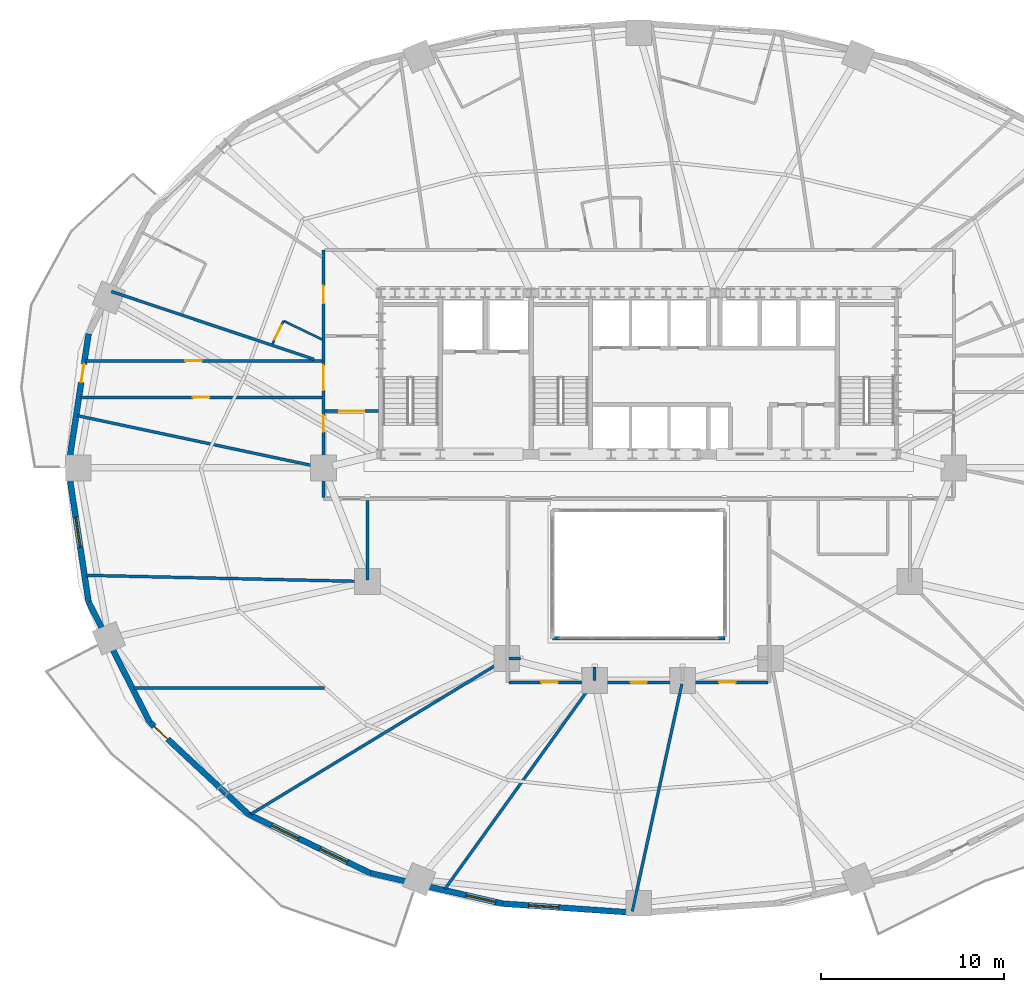
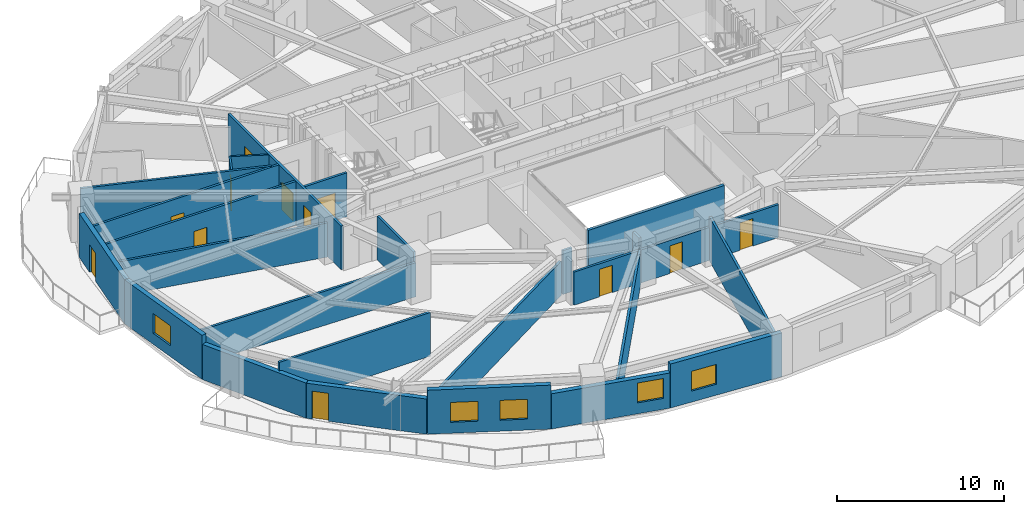
# One storey, part 9 of 17: 25 walls, 12 doors, 5 windows, 17 openings.
"""IFC4 building model written with IfcOpenShell, lengths in metres."""

from ifc_helpers import new_model, si_unit, direction, frame, frame_2d, origin, place, context, subcontext, project, spatial, rectangle, extrude, material, layer, layer_set, type_object, element, fill, save


model = new_model("IFC4")

# Units and contexts
model_context = context("Model", 3, precision=1e-05, world=origin(), true_north=direction((0.0, 1.0)))
body_context = subcontext(model_context, "Body", "Model", "MODEL_VIEW")
ifc_project = project(units=[si_unit("LENGTHUNIT", "METRE"), si_unit("AREAUNIT", "SQUARE_METRE"), si_unit("VOLUMEUNIT", "CUBIC_METRE"), si_unit("PLANEANGLEUNIT", "RADIAN"), si_unit("MASSUNIT", "GRAM", prefix="KILO")], contexts=[model_context])

# Site, building, storey
site_placement = place(None, origin())
site = spatial("IfcSite", under=ifc_project, at=site_placement, CompositionType="ELEMENT")
building_placement = place(site_placement, origin())
building = spatial("IfcBuilding", under=site, at=building_placement, Name="Haldorwick Loom Tower", CompositionType="ELEMENT")
storey_placement = place(building_placement, frame((0.0, 0.0, 27.449951171875)))
storey = spatial("IfcBuildingStorey", under=building, at=storey_placement, Name="L06", CompositionType="ELEMENT", Elevation=27.449951171875)

# Wall, opening, door
ifc_material_1 = material(Name="Pressed Clay Face Brick and Insulated Masonry Backup Assembly", Category="masonry")
ifc_layer_1 = layer(ifc_material_1, 0.320068359375, Name="Pressed Clay Face Brick and Insulated Masonry Backup Assembly", Category="masonry")
ifc_layer_set_1 = layer_set([ifc_layer_1], Name="Pressed Clay Face Brick and Insulated Masonry Backup Assembly")
wall_type_1 = type_object("IfcWallType", Name="ARC-WL-EXT320", PredefinedType="STANDARD", material=ifc_layer_set_1)
wall_1_placement = place(storey_placement, frame((5.978271484375, 33.320556640625, 0.0), z_axis=(0.0, 0.0, 1.0), x_axis=(-0.150476322528, -0.988613613278, 0.0)))
wall_1 = element("IfcWall", 1, at=wall_1_placement, inside=storey, type_object=wall_type_1, Name="L06 Brick Pier and Spandrel Wall 12", PredefinedType="STANDARD", context=body_context, shape_type="SweptSolid", body=[
    extrude(rectangle(XDim=7.40478515625, YDim=0.320068359375, at=frame_2d((3.702392578125, 0.0))), origin(), (0.0, 0.0, 1.0), 3.2099609375),
])
opening_1_placement = place(wall_1_placement, frame((1.665771484375, 0.0, 0.0)))
opening_1 = element("IfcOpeningElement", 2, at=opening_1_placement, cuts=wall_1, Name="Opening D-BL10", PredefinedType="OPENING", context=body_context, shape_type="SweptSolid", body=[
    extrude(rectangle(XDim=1.0, YDim=2.0400390625, at=frame_2d((0.5, 1.02001953125))), frame((0.0, 0.169921875, 0.0), z_axis=(0.0, -1.0, 0.0), x_axis=(1.0, 0.0, 0.0)), (0.0, 0.0, 1.0), 0.340087890625),
])
ifc_material_2 = material(Name="Thermally Broken Anodized Aluminium Curtain Wall Framing", Category="aluminium")
door_type_1 = type_object("IfcDoorType", Name="ARC-DR-BAL100", OperationType="NOTDEFINED", PredefinedType="DOOR", material=ifc_material_2)
door_1_placement = place(opening_1_placement, origin())
door_1 = element("IfcDoor", 3, at=door_1_placement, inside=storey, type_object=door_type_1, Name="L06 Outdoor Terrace Door SLB-L06-BAL_WNW", OperationType="SINGLE_SWING_RIGHT", OverallHeight=2.0400390625, OverallWidth=1.0, PredefinedType="DOOR", context=body_context, shape_type="SweptSolid", body=[
    extrude(rectangle(XDim=1.0, YDim=2.0400390625, at=frame_2d((0.5, 1.02001953125))), frame((0.0, 0.02490234375, 0.0), z_axis=(0.0, -1.0, 0.0), x_axis=(1.0, 0.0, 0.0)), (0.0, 0.0, 1.0), 0.050048828125),
])
fill(opening_1, door_1)

# Wall, opening, window
wall_2_placement = place(storey_placement, frame((4.864013671875, 26.0, 0.0), z_axis=(0.0, 0.0, 1.0), x_axis=(0.150476322528, -0.988613613278, 0.0)))
wall_2 = element("IfcWall", 4, at=wall_2_placement, inside=storey, type_object=wall_type_1, Name="L06 Brick Pier and Spandrel Wall 13", PredefinedType="STANDARD", context=body_context, shape_type="SweptSolid", body=[
    extrude(rectangle(XDim=7.40478515625, YDim=0.320068359375, at=frame_2d((3.702392578125, 0.0))), origin(), (0.0, 0.0, 1.0), 3.2099609375),
])
opening_2_placement = place(wall_2_placement, frame((2.728271484375, 0.0, 0.800048828125)))
opening_2 = element("IfcOpeningElement", 5, at=opening_2_placement, cuts=wall_2, Name="Opening W-01B", PredefinedType="OPENING", context=body_context, shape_type="SweptSolid", body=[
    extrude(rectangle(XDim=1.64990234375, YDim=1.449951171875, at=frame_2d((0.824951171875, 0.72509765625))), frame((0.0, 0.169921875, 0.0), z_axis=(0.0, -1.0, 0.0), x_axis=(1.0, 0.0, 0.0)), (0.0, 0.0, 1.0), 0.340087890625),
])
ifc_material_3 = material(Name="Triple-Glazed Low-E Argon Insulated Glazing Unit", Category="glass")
window_type = type_object("IfcWindowType", Name="ARC-WIN-W165", PartitioningType="SINGLE_PANEL", PredefinedType="WINDOW", material=ifc_material_3)
window_1_placement = place(opening_2_placement, origin())
window_1 = element("IfcWindow", 6, at=window_1_placement, inside=storey, type_object=window_type, Name="L06 Deep-Set Zone 7A Window 13", OverallHeight=1.449951171875, OverallWidth=1.64990234375, PartitioningType="SINGLE_PANEL", PredefinedType="WINDOW", context=body_context, shape_type="SweptSolid", body=[
    extrude(rectangle(XDim=1.64990234375, YDim=1.449951171875, at=frame_2d((0.824951171875, 0.72509765625))), frame((0.0, 0.030029296875, 0.0), z_axis=(0.0, -1.0, 0.0), x_axis=(1.0, 0.0, 0.0)), (0.0, 0.0, 1.0), 0.06005859375),
])
fill(opening_2, window_1)

# Wall
wall_3_placement = place(storey_placement, frame((5.978271484375, 18.679443359375, 0.0), z_axis=(0.0, 0.0, 1.0), x_axis=(0.452950855928, -0.891535485617, 0.0)))
element("IfcWall", 7, at=wall_3_placement, inside=storey, type_object=wall_type_1, Name="L06 Brick Pier and Spandrel Wall 14", PredefinedType="STANDARD", context=body_context, shape_type="SweptSolid", body=[
    extrude(rectangle(XDim=7.3583984375, YDim=0.320068359375, at=frame_2d((3.67919921875, 0.0))), origin(), (0.0, 0.0, 1.0), 2.569091796875),
])

# Wall, opening, door
wall_4_placement = place(storey_placement, frame((9.311279296875, 12.119140625, 0.0), z_axis=(0.0, 0.0, 1.0), x_axis=(0.73176101237, -0.681561311091, 0.0)))
wall_4 = element("IfcWall", 8, at=wall_4_placement, inside=storey, type_object=wall_type_1, Name="L06 Brick Pier and Spandrel Wall 15", PredefinedType="STANDARD", context=body_context, shape_type="SweptSolid", body=[
    extrude(rectangle(XDim=7.3583984375, YDim=0.320068359375, at=frame_2d((3.67919921875, 0.0))), origin(), (0.0, 0.0, 1.0), 2.569091796875),
])
opening_3_placement = place(wall_4_placement, frame((0.340087890625, 0.0, 0.0)))
opening_3 = element("IfcOpeningElement", 9, at=opening_3_placement, cuts=wall_4, Name="Opening D-BL10", PredefinedType="OPENING", context=body_context, shape_type="SweptSolid", body=[
    extrude(rectangle(XDim=1.0, YDim=2.0400390625, at=frame_2d((0.5, 1.02001953125))), frame((0.0, 0.169921875, 0.0), z_axis=(0.0, -1.0, 0.0), x_axis=(1.0, 0.0, 0.0)), (0.0, 0.0, 1.0), 0.340087890625),
])
door_2_placement = place(opening_3_placement, origin())
door_2 = element("IfcDoor", 10, at=door_2_placement, inside=storey, type_object=door_type_1, Name="L06 Outdoor Terrace Door SLB-L06-BAL_SW", OperationType="SINGLE_SWING_LEFT", OverallHeight=2.0400390625, OverallWidth=1.0, PredefinedType="DOOR", context=body_context, shape_type="SweptSolid", body=[
    extrude(rectangle(XDim=1.0, YDim=2.0400390625, at=frame_2d((0.5, 1.02001953125))), frame((0.0, 0.02490234375, 0.0), z_axis=(0.0, -1.0, 0.0), x_axis=(1.0, 0.0, 0.0)), (0.0, 0.0, 1.0), 0.050048828125),
])
fill(opening_3, door_2)

# Wall, openings, windows
wall_5_placement = place(storey_placement, frame((14.69580078125, 7.10400390625, 0.0), z_axis=(0.0, 0.0, 1.0), x_axis=(0.900295710431, -0.435278800057, 0.0)))
wall_5 = element("IfcWall", 11, at=wall_5_placement, inside=storey, type_object=wall_type_1, Name="L06 Brick Pier and Spandrel Wall 16", PredefinedType="STANDARD", context=body_context, shape_type="SweptSolid", body=[
    extrude(rectangle(XDim=7.39697265625, YDim=0.320068359375, at=frame_2d((3.698486328125, 0.0))), origin(), (0.0, 0.0, 1.0), 3.2099609375),
])
opening_4_placement = place(wall_5_placement, frame((1.39404296875, 0.0, 0.800048828125)))
opening_4 = element("IfcOpeningElement", 12, at=opening_4_placement, cuts=wall_5, Name="Opening W-01B", PredefinedType="OPENING", context=body_context, shape_type="SweptSolid", body=[
    extrude(rectangle(XDim=1.64990234375, YDim=1.449951171875, at=frame_2d((0.824951171875, 0.72509765625))), frame((0.0, 0.169921875, 0.0), z_axis=(0.0, -1.0, 0.0), x_axis=(1.0, 0.0, 0.0)), (0.0, 0.0, 1.0), 0.340087890625),
])
opening_5_placement = place(wall_5_placement, frame((4.352783203125, 0.0, 0.800048828125)))
opening_5 = element("IfcOpeningElement", 13, at=opening_5_placement, cuts=wall_5, Name="Opening W-01B", PredefinedType="OPENING", context=body_context, shape_type="SweptSolid", body=[
    extrude(rectangle(XDim=1.64990234375, YDim=1.449951171875, at=frame_2d((0.824951171875, 0.72509765625))), frame((0.0, 0.169921875, 0.0), z_axis=(0.0, -1.0, 0.0), x_axis=(1.0, 0.0, 0.0)), (0.0, 0.0, 1.0), 0.340087890625),
])
window_2_placement = place(opening_4_placement, origin())
window_2 = element("IfcWindow", 14, at=window_2_placement, inside=storey, type_object=window_type, Name="L06 Deep-Set Zone 7A Window 16", OverallHeight=1.449951171875, OverallWidth=1.64990234375, PartitioningType="SINGLE_PANEL", PredefinedType="WINDOW", context=body_context, shape_type="SweptSolid", body=[
    extrude(rectangle(XDim=1.64990234375, YDim=1.449951171875, at=frame_2d((0.824951171875, 0.72509765625))), frame((0.0, 0.030029296875, 0.0), z_axis=(0.0, -1.0, 0.0), x_axis=(1.0, 0.0, 0.0)), (0.0, 0.0, 1.0), 0.06005859375),
])
fill(opening_4, window_2)
window_3_placement = place(opening_5_placement, origin())
window_3 = element("IfcWindow", 15, at=window_3_placement, inside=storey, type_object=window_type, Name="L06 Deep-Set Zone 7A Window 16", OverallHeight=1.449951171875, OverallWidth=1.64990234375, PartitioningType="SINGLE_PANEL", PredefinedType="WINDOW", context=body_context, shape_type="SweptSolid", body=[
    extrude(rectangle(XDim=1.64990234375, YDim=1.449951171875, at=frame_2d((0.824951171875, 0.72509765625))), frame((0.0, 0.030029296875, 0.0), z_axis=(0.0, -1.0, 0.0), x_axis=(1.0, 0.0, 0.0)), (0.0, 0.0, 1.0), 0.06005859375),
])
fill(opening_5, window_3)

# Wall, opening, window
wall_6_placement = place(storey_placement, frame((21.355224609375, 3.88427734375, 0.0), z_axis=(0.0, 0.0, 1.0), x_axis=(0.974522412345, -0.224290142088, 0.0)))
wall_6 = element("IfcWall", 16, at=wall_6_placement, inside=storey, type_object=wall_type_1, Name="L06 Brick Pier and Spandrel Wall 17", PredefinedType="STANDARD", context=body_context, shape_type="SweptSolid", body=[
    extrude(rectangle(XDim=7.422607421875, YDim=0.320068359375, at=frame_2d((3.71142578125, 0.0))), origin(), (0.0, 0.0, 1.0), 2.569091796875),
])
opening_6_placement = place(wall_6_placement, frame((5.37255859375, 0.0, 0.800048828125)))
opening_6 = element("IfcOpeningElement", 17, at=opening_6_placement, cuts=wall_6, Name="Opening W-01B", PredefinedType="OPENING", context=body_context, shape_type="SweptSolid", body=[
    extrude(rectangle(XDim=1.64990234375, YDim=1.449951171875, at=frame_2d((0.824951171875, 0.72509765625))), frame((0.0, 0.169921875, 0.0), z_axis=(0.0, -1.0, 0.0), x_axis=(1.0, 0.0, 0.0)), (0.0, 0.0, 1.0), 0.340087890625),
])
window_4_placement = place(opening_6_placement, origin())
window_4 = element("IfcWindow", 18, at=window_4_placement, inside=storey, type_object=window_type, Name="L06 Deep-Set Zone 7A Window 17", OverallHeight=1.449951171875, OverallWidth=1.64990234375, PartitioningType="SINGLE_PANEL", PredefinedType="WINDOW", context=body_context, shape_type="SweptSolid", body=[
    extrude(rectangle(XDim=1.64990234375, YDim=1.449951171875, at=frame_2d((0.824951171875, 0.72509765625))), frame((0.0, 0.030029296875, 0.0), z_axis=(0.0, -1.0, 0.0), x_axis=(1.0, 0.0, 0.0)), (0.0, 0.0, 1.0), 0.06005859375),
])
fill(opening_6, window_4)

wall_7_placement = place(storey_placement, frame((28.588623046875, 2.219482421875, 0.0), z_axis=(0.0, 0.0, 1.0), x_axis=(0.997645161917, -0.068586667092, 0.0)))
wall_7 = element("IfcWall", 19, at=wall_7_placement, inside=storey, type_object=wall_type_1, Name="L06 Brick Pier and Spandrel Wall 18", PredefinedType="STANDARD", context=body_context, shape_type="SweptSolid", body=[
    extrude(rectangle(XDim=7.428955078125, YDim=0.320068359375, at=frame_2d((3.71435546875, 0.0))), origin(), (0.0, 0.0, 1.0), 3.2099609375),
])
opening_7_placement = place(wall_7_placement, frame((1.403564453125, 0.0, 0.800048828125)))
opening_7 = element("IfcOpeningElement", 20, at=opening_7_placement, cuts=wall_7, Name="Opening W-01B", PredefinedType="OPENING", context=body_context, shape_type="SweptSolid", body=[
    extrude(rectangle(XDim=1.64990234375, YDim=1.449951171875, at=frame_2d((0.824951171875, 0.72509765625))), frame((0.0, 0.169921875, 0.0), z_axis=(0.0, -1.0, 0.0), x_axis=(1.0, 0.0, 0.0)), (0.0, 0.0, 1.0), 0.340087890625),
])
window_5_placement = place(opening_7_placement, origin())
window_5 = element("IfcWindow", 21, at=window_5_placement, inside=storey, type_object=window_type, Name="L06 Deep-Set Zone 7A Window 18", OverallHeight=1.449951171875, OverallWidth=1.64990234375, PartitioningType="SINGLE_PANEL", PredefinedType="WINDOW", context=body_context, shape_type="SweptSolid", body=[
    extrude(rectangle(XDim=1.64990234375, YDim=1.449951171875, at=frame_2d((0.824951171875, 0.72509765625))), frame((0.0, 0.030029296875, 0.0), z_axis=(0.0, -1.0, 0.0), x_axis=(1.0, 0.0, 0.0)), (0.0, 0.0, 1.0), 0.06005859375),
])
fill(opening_7, window_5)

# Wall, openings, doors
ifc_material_4 = material(Name="Fire-Rated Type X Gypsum Stud Assembly EI 60")
ifc_layer_2 = layer(ifc_material_4, 0.159912109375, Name="Fire-Rated Type X Gypsum Stud Assembly EI 60")
ifc_layer_set_2 = layer_set([ifc_layer_2], Name="Fire-Rated Type X Gypsum Stud Assembly EI 60")
wall_type_2 = type_object("IfcWallType", Name="ARC-WL-FIRE160", PredefinedType="PARTITIONING", material=ifc_layer_set_2)
wall_8_placement = place(storey_placement, frame((18.800048828125, 24.383056640625, 0.0), z_axis=(0.0, 0.0, 1.0), x_axis=(0.0, 1.0, 0.0)))
wall_8 = element("IfcWall", 22, at=wall_8_placement, inside=storey, type_object=wall_type_2, Name="L06 Residential Fire Partition L06-CR-W0", PredefinedType="PARTITIONING", context=body_context, shape_type="SweptSolid", body=[
    extrude(rectangle(XDim=13.516845703125, YDim=0.159912109375, at=frame_2d((6.75830078125, 0.0))), origin(), (0.0, 0.0, 1.0), 3.195068359375),
])
opening_8_placement = place(wall_8_placement, frame((5.86181640625, 0.0, 0.0)))
opening_8 = element("IfcOpeningElement", 23, at=opening_8_placement, cuts=wall_8, Name="Opening D-CR15", PredefinedType="OPENING", context=body_context, shape_type="SweptSolid", body=[
    extrude(rectangle(XDim=1.35009765625, YDim=2.0, at=frame_2d((0.675048828125, 1.0))), frame((0.0, 0.08984375, 0.0), z_axis=(0.0, -1.0, 0.0), x_axis=(1.0, 0.0, 0.0)), (0.0, 0.0, 1.0), 0.179931640625),
])
opening_9_placement = place(wall_8_placement, frame((10.6044921875, 0.0, 0.0)))
opening_9 = element("IfcOpeningElement", 24, at=opening_9_placement, cuts=wall_8, Name="Opening D-FL95", PredefinedType="OPENING", context=body_context, shape_type="SweptSolid", body=[
    extrude(rectangle(XDim=0.949951171875, YDim=2.0400390625, at=frame_2d((0.47509765625, 1.02001953125))), frame((0.0, 0.08984375, 0.0), z_axis=(0.0, -1.0, 0.0), x_axis=(1.0, 0.0, 0.0)), (0.0, 0.0, 1.0), 0.179931640625),
])
opening_10_placement = place(wall_8_placement, frame((3.59326171875, 0.0, 0.0)))
opening_10 = element("IfcOpeningElement", 25, at=opening_10_placement, cuts=wall_8, Name="Opening D-FD60A", PredefinedType="OPENING", context=body_context, shape_type="SweptSolid", body=[
    extrude(rectangle(XDim=0.89990234375, YDim=2.0, at=frame_2d((0.449951171875, 1.0))), frame((0.0, 0.08984375, 0.0), z_axis=(0.0, -1.0, 0.0), x_axis=(1.0, 0.0, 0.0)), (0.0, 0.0, 1.0), 0.179931640625),
])
ifc_material_5 = material(Name="Thermally Broken Anodized Aluminium and Tempered Glass", Category="aluminium")
door_type_2 = type_object("IfcDoorType", Name="ARC-DR-COR150", OperationType="NOTDEFINED", PredefinedType="DOOR", material=ifc_material_5)
door_3_placement = place(opening_8_placement, origin())
door_3 = element("IfcDoor", 26, at=door_3_placement, inside=storey, type_object=door_type_2, Name="L06 L06 West Daylight Corridor to L06 West Residential Corridor Door", OperationType="DOUBLE_DOOR_SINGLE_SWING", OverallHeight=2.0, OverallWidth=1.35009765625, PredefinedType="DOOR", context=body_context, shape_type="SweptSolid", body=[
    extrude(rectangle(XDim=1.35009765625, YDim=2.0, at=frame_2d((0.675048828125, 1.0))), frame((0.0, 0.02490234375, 0.0), z_axis=(0.0, -1.0, 0.0), x_axis=(1.0, 0.0, 0.0)), (0.0, 0.0, 1.0), 0.050048828125),
])
fill(opening_8, door_3)
ifc_material_6 = material(Name="Hollow Steel Fire Door Assembly", Category="steel")
door_type_3 = type_object("IfcDoorType", Name="ARC-DR-FD60-90", OperationType="NOTDEFINED", PredefinedType="DOOR", material=ifc_material_6)
door_4_placement = place(opening_10_placement, frame((0.89990234375, 0.0, 0.0), z_axis=(0.0, 0.0, 1.0), x_axis=(-1.0, 0.0, 0.0)))
door_4 = element("IfcDoor", 27, at=door_4_placement, inside=storey, type_object=door_type_3, Name="L06 Resident Study Room 9 to L06 Central Residential Corridor Door", OperationType="SINGLE_SWING_LEFT", OverallHeight=2.0, OverallWidth=0.89990234375, PredefinedType="DOOR", context=body_context, shape_type="SweptSolid", body=[
    extrude(rectangle(XDim=0.89990234375, YDim=2.0, at=frame_2d((0.449951171875, 1.0))), frame((0.0, 0.02490234375, 0.0), z_axis=(0.0, -1.0, 0.0), x_axis=(1.0, 0.0, 0.0)), (0.0, 0.0, 1.0), 0.050048828125),
])
fill(opening_10, door_4)
ifc_material_7 = material(Name="Solid Core Birch Architectural Door")
door_type_4 = type_object("IfcDoorType", Name="ARC-DR-FLAT95", OperationType="NOTDEFINED", PredefinedType="DOOR", material=ifc_material_7)
door_5_placement = place(opening_9_placement, frame((0.949951171875, 0.0, 0.0), z_axis=(0.0, 0.0, 1.0), x_axis=(-1.0, 0.0, 0.0)))
door_5 = element("IfcDoor", 28, at=door_5_placement, inside=storey, type_object=door_type_4, Name="L06 Unit 06I Kitchen and Living Room to L06 North Residential Corridor D", OperationType="SINGLE_SWING_RIGHT", OverallHeight=2.0400390625, OverallWidth=0.949951171875, PredefinedType="DOOR", context=body_context, shape_type="SweptSolid", body=[
    extrude(rectangle(XDim=0.949951171875, YDim=2.0400390625, at=frame_2d((0.47509765625, 1.02001953125))), frame((0.0, 0.02490234375, 0.0), z_axis=(0.0, -1.0, 0.0), x_axis=(1.0, 0.0, 0.0)), (0.0, 0.0, 1.0), 0.050048828125),
])
fill(opening_9, door_5)

# Wall, opening, door
wall_9_placement = place(storey_placement, frame((18.883056640625, 29.10009765625, 0.0), z_axis=(0.0, 0.0, 1.0), x_axis=(1.0, 0.0, 0.0)))
wall_9 = element("IfcWall", 29, at=wall_9_placement, inside=storey, type_object=wall_type_2, Name="L06 Residential Fire Partition L06-CR-WSJ", PredefinedType="PARTITIONING", context=body_context, shape_type="SweptSolid", body=[
    extrude(rectangle(XDim=2.923828125, YDim=0.159912109375, at=frame_2d((1.4619140625, 0.0))), origin(), (0.0, 0.0, 1.0), 3.195068359375),
])
opening_11_placement = place(wall_9_placement, frame((0.787109375, 0.0, 0.0)))
opening_11 = element("IfcOpeningElement", 30, at=opening_11_placement, cuts=wall_9, Name="Opening D-CR15", PredefinedType="OPENING", context=body_context, shape_type="SweptSolid", body=[
    extrude(rectangle(XDim=1.35009765625, YDim=2.0, at=frame_2d((0.675048828125, 1.0))), frame((0.0, 0.08984375, 0.0), z_axis=(0.0, -1.0, 0.0), x_axis=(1.0, 0.0, 0.0)), (0.0, 0.0, 1.0), 0.179931640625),
])
door_6_placement = place(opening_11_placement, origin())
door_6 = element("IfcDoor", 31, at=door_6_placement, inside=storey, type_object=door_type_2, Name="L06 L06 West Residential Corridor to L06 Central Residential Corridor Do", OperationType="DOUBLE_DOOR_SINGLE_SWING", OverallHeight=2.0, OverallWidth=1.35009765625, PredefinedType="DOOR", context=body_context, shape_type="SweptSolid", body=[
    extrude(rectangle(XDim=1.35009765625, YDim=2.0, at=frame_2d((0.675048828125, 1.0))), frame((0.0, 0.02490234375, 0.0), z_axis=(0.0, -1.0, 0.0), x_axis=(1.0, 0.0, 0.0)), (0.0, 0.0, 1.0), 0.050048828125),
])
fill(opening_11, door_6)

# Wall, openings, doors
wall_10_placement = place(storey_placement, frame((28.93310546875, 14.300048828125, 0.0), z_axis=(0.0, 0.0, 1.0), x_axis=(1.0, 0.0, 0.0)))
wall_10 = element("IfcWall", 32, at=wall_10_placement, inside=storey, type_object=wall_type_2, Name="L06 Residential Fire Partition L06-CR-AS", PredefinedType="PARTITIONING", context=body_context, shape_type="SweptSolid", body=[
    extrude(rectangle(XDim=14.1337890625, YDim=0.159912109375, at=frame_2d((7.06689453125, 0.0))), origin(), (0.0, 0.0, 1.0), 2.412109375),
])
opening_12_placement = place(wall_10_placement, frame((6.6240234375, 0.0, 0.0)))
opening_12 = element("IfcOpeningElement", 33, at=opening_12_placement, cuts=wall_10, Name="Opening D-FD88", PredefinedType="OPENING", context=body_context, shape_type="SweptSolid", body=[
    extrude(rectangle(XDim=0.8798828125, YDim=2.02001953125, at=frame_2d((0.43994140625, 1.010009765625))), frame((0.0, 0.08984375, 0.0), z_axis=(0.0, -1.0, 0.0), x_axis=(1.0, 0.0, 0.0)), (0.0, 0.0, 1.0), 0.179931640625),
])
opening_13_placement = place(wall_10_placement, frame((11.455322265625, 0.0, 0.0)))
opening_13 = element("IfcOpeningElement", 34, at=opening_13_placement, cuts=wall_10, Name="Opening D-FD60A", PredefinedType="OPENING", context=body_context, shape_type="SweptSolid", body=[
    extrude(rectangle(XDim=0.89990234375, YDim=2.0, at=frame_2d((0.449951171875, 1.0))), frame((0.0, 0.08984375, 0.0), z_axis=(0.0, -1.0, 0.0), x_axis=(1.0, 0.0, 0.0)), (0.0, 0.0, 1.0), 0.179931640625),
])
opening_14_placement = place(wall_10_placement, frame((1.75830078125, 0.0, 0.0)))
opening_14 = element("IfcOpeningElement", 35, at=opening_14_placement, cuts=wall_10, Name="Opening D-FD60A", PredefinedType="OPENING", context=body_context, shape_type="SweptSolid", body=[
    extrude(rectangle(XDim=0.89990234375, YDim=2.0, at=frame_2d((0.449951171875, 1.0))), frame((0.0, 0.08984375, 0.0), z_axis=(0.0, -1.0, 0.0), x_axis=(1.0, 0.0, 0.0)), (0.0, 0.0, 1.0), 0.179931640625),
])
door_type_5 = type_object("IfcDoorType", Name="ARC-DR-FD60-88", OperationType="NOTDEFINED", PredefinedType="DOOR", material=ifc_material_6)
door_7_placement = place(opening_12_placement, origin())
door_7 = element("IfcDoor", 36, at=door_7_placement, inside=storey, type_object=door_type_5, Name="L06 L06 South Atrium Corridor to Community Library Hall 1 Door", OperationType="SINGLE_SWING_RIGHT", OverallHeight=2.02001953125, OverallWidth=0.8798828125, PredefinedType="DOOR", context=body_context, shape_type="SweptSolid", body=[
    extrude(rectangle(XDim=0.8798828125, YDim=2.02001953125, at=frame_2d((0.43994140625, 1.010009765625))), frame((0.0, 0.02490234375, 0.0), z_axis=(0.0, -1.0, 0.0), x_axis=(1.0, 0.0, 0.0)), (0.0, 0.0, 1.0), 0.050048828125),
])
fill(opening_12, door_7)
door_8_placement = place(opening_13_placement, origin())
door_8 = element("IfcDoor", 37, at=door_8_placement, inside=storey, type_object=door_type_3, Name="L06 L06 South Atrium Corridor to Community Library Hall 2 Door", OperationType="SINGLE_SWING_LEFT", OverallHeight=2.0, OverallWidth=0.89990234375, PredefinedType="DOOR", context=body_context, shape_type="SweptSolid", body=[
    extrude(rectangle(XDim=0.89990234375, YDim=2.0, at=frame_2d((0.449951171875, 1.0))), frame((0.0, 0.02490234375, 0.0), z_axis=(0.0, -1.0, 0.0), x_axis=(1.0, 0.0, 0.0)), (0.0, 0.0, 1.0), 0.050048828125),
])
fill(opening_13, door_8)
door_9_placement = place(opening_14_placement, origin())
door_9 = element("IfcDoor", 38, at=door_9_placement, inside=storey, type_object=door_type_3, Name="L06 L06 South Atrium Corridor to Community Library Hall 3 Door", OperationType="SINGLE_SWING_LEFT", OverallHeight=2.0, OverallWidth=0.89990234375, PredefinedType="DOOR", context=body_context, shape_type="SweptSolid", body=[
    extrude(rectangle(XDim=0.89990234375, YDim=2.0, at=frame_2d((0.449951171875, 1.0))), frame((0.0, 0.02490234375, 0.0), z_axis=(0.0, -1.0, 0.0), x_axis=(1.0, 0.0, 0.0)), (0.0, 0.0, 1.0), 0.050048828125),
])
fill(opening_14, door_9)

# Wall, opening, door
wall_11_placement = place(storey_placement, frame((5.515625, 29.85009765625, 0.0), z_axis=(0.0, 0.0, 1.0), x_axis=(1.0, 0.0, 0.0)))
wall_11 = element("IfcWall", 39, at=wall_11_placement, inside=storey, type_object=wall_type_2, Name="L06 Residential Fire Partition L06-CR-GW0", PredefinedType="PARTITIONING", context=body_context, shape_type="SweptSolid", body=[
    extrude(rectangle(XDim=13.201416015625, YDim=0.159912109375, at=frame_2d((6.6005859375, 0.0))), origin(), (0.0, 0.0, 1.0), 3.195068359375),
])
opening_15_placement = place(wall_11_placement, frame((6.150634765625, 0.0, 0.0)))
opening_15 = element("IfcOpeningElement", 40, at=opening_15_placement, cuts=wall_11, Name="Opening D-FD60A", PredefinedType="OPENING", context=body_context, shape_type="SweptSolid", body=[
    extrude(rectangle(XDim=0.89990234375, YDim=2.0, at=frame_2d((0.449951171875, 1.0))), frame((0.0, 0.08984375, 0.0), z_axis=(0.0, -1.0, 0.0), x_axis=(1.0, 0.0, 0.0)), (0.0, 0.0, 1.0), 0.179931640625),
])
door_10_placement = place(opening_15_placement, origin())
door_10 = element("IfcDoor", 41, at=door_10_placement, inside=storey, type_object=door_type_3, Name="L06 L06 West Daylight Corridor to Resident Study Room 9 Door", OperationType="SINGLE_SWING_RIGHT", OverallHeight=2.0, OverallWidth=0.89990234375, PredefinedType="DOOR", context=body_context, shape_type="SweptSolid", body=[
    extrude(rectangle(XDim=0.89990234375, YDim=2.0, at=frame_2d((0.449951171875, 1.0))), frame((0.0, 0.02490234375, 0.0), z_axis=(0.0, -1.0, 0.0), x_axis=(1.0, 0.0, 0.0)), (0.0, 0.0, 1.0), 0.050048828125),
])
fill(opening_15, door_10)

wall_12_placement = place(storey_placement, frame((5.820068359375, 31.85009765625, 0.0), z_axis=(0.0, 0.0, 1.0), x_axis=(1.0, 0.0, 0.0)))
wall_12 = element("IfcWall", 42, at=wall_12_placement, inside=storey, type_object=wall_type_2, Name="L06 Residential Fire Partition L06-CR-GW1", PredefinedType="PARTITIONING", context=body_context, shape_type="SweptSolid", body=[
    extrude(rectangle(XDim=12.89697265625, YDim=0.159912109375, at=frame_2d((6.448486328125, 0.0))), origin(), (0.0, 0.0, 1.0), 3.195068359375),
])
opening_16_placement = place(wall_12_placement, frame((5.4423828125, 0.0, 0.0)))
opening_16 = element("IfcOpeningElement", 43, at=opening_16_placement, cuts=wall_12, Name="Opening D-FD60A", PredefinedType="OPENING", context=body_context, shape_type="SweptSolid", body=[
    extrude(rectangle(XDim=0.89990234375, YDim=2.0, at=frame_2d((0.449951171875, 1.0))), frame((0.0, 0.08984375, 0.0), z_axis=(0.0, -1.0, 0.0), x_axis=(1.0, 0.0, 0.0)), (0.0, 0.0, 1.0), 0.179931640625),
])
door_11_placement = place(opening_16_placement, frame((0.89990234375, 0.0, 0.0), z_axis=(0.0, 0.0, 1.0), x_axis=(-1.0, 0.0, 0.0)))
door_11 = element("IfcDoor", 44, at=door_11_placement, inside=storey, type_object=door_type_3, Name="L06 Remote Work Office 10 to L06 West Daylight Corridor Door", OperationType="SINGLE_SWING_LEFT", OverallHeight=2.0, OverallWidth=0.89990234375, PredefinedType="DOOR", context=body_context, shape_type="SweptSolid", body=[
    extrude(rectangle(XDim=0.89990234375, YDim=2.0, at=frame_2d((0.449951171875, 1.0))), frame((0.0, 0.02490234375, 0.0), z_axis=(0.0, -1.0, 0.0), x_axis=(1.0, 0.0, 0.0)), (0.0, 0.0, 1.0), 0.050048828125),
])
fill(opening_16, door_11)

# Walls
wall_13_placement = place(storey_placement, frame((38.360107421875, 14.217041015625, 0.0), z_axis=(0.0, 0.0, 1.0), x_axis=(-0.213215081221, -0.977005286137, 0.0)))
element("IfcWall", 45, at=wall_13_placement, inside=storey, type_object=wall_type_2, Name="L06 Residential Fire Partition L06-ICR-07", PredefinedType="PARTITIONING", context=body_context, shape_type="SweptSolid", body=[
    extrude(rectangle(XDim=12.7099609375, YDim=0.159912109375, at=frame_2d((6.35498046875, 0.0))), origin(), (0.0, 0.0, 1.0), 3.195068359375),
])
wall_14_placement = place(storey_placement, frame((33.468505859375, 14.217041015625, 0.0), z_axis=(0.0, 0.0, 1.0), x_axis=(-0.583377784299, -0.812200936213, 0.0)))
element("IfcWall", 46, at=wall_14_placement, inside=storey, type_object=wall_type_2, Name="L06 Residential Fire Partition L06-ICR-09", PredefinedType="PARTITIONING", context=body_context, shape_type="SweptSolid", body=[
    extrude(rectangle(XDim=13.792236328125, YDim=0.159912109375, at=frame_2d((6.89599609375, 0.0))), origin(), (0.0, 0.0, 1.0), 2.489990234375),
])
wall_15_placement = place(storey_placement, frame((28.76708984375, 15.579833984375, 0.0), z_axis=(0.0, 0.0, 1.0), x_axis=(-0.854416498156, -0.51958872936, 0.0)))
element("IfcWall", 47, at=wall_15_placement, inside=storey, type_object=wall_type_2, Name="L06 Residential Fire Partition L06-ICR-11", PredefinedType="PARTITIONING", context=body_context, shape_type="SweptSolid", body=[
    extrude(rectangle(XDim=16.3046875, YDim=0.159912109375, at=frame_2d((8.15234375, 0.0))), origin(), (0.0, 0.0, 1.0), 2.489990234375),
])
wall_16_placement = place(storey_placement, frame((21.199951171875, 19.800048828125, 0.0), z_axis=(0.0, 0.0, 1.0), x_axis=(-0.999754156107, 0.022172671155, 0.0)))
element("IfcWall", 48, at=wall_16_placement, inside=storey, type_object=wall_type_2, Name="L06 Residential Fire Partition L06-ICR-13", PredefinedType="PARTITIONING", context=body_context, shape_type="SweptSolid", body=[
    extrude(rectangle(XDim=15.382080078125, YDim=0.159912109375, at=frame_2d((7.69091796875, 0.0))), origin(), (0.0, 0.0, 1.0), 2.489990234375),
])
wall_17_placement = place(storey_placement, frame((18.717041015625, 26.017578125, 0.0), z_axis=(0.0, 0.0, 1.0), x_axis=(-0.978148122559, 0.207909235807, 0.0)))
element("IfcWall", 49, at=wall_17_placement, inside=storey, type_object=wall_type_2, Name="L06 Residential Fire Partition L06-ICR-14", PredefinedType="PARTITIONING", context=body_context, shape_type="SweptSolid", body=[
    extrude(rectangle(XDim=13.65087890625, YDim=0.159912109375, at=frame_2d((6.825439453125, 0.0))), origin(), (0.0, 0.0, 1.0), 2.489990234375),
])
wall_18_placement = place(storey_placement, frame((33.60009765625, 15.14990234375, 0.0), z_axis=(0.0, 0.0, 1.0), x_axis=(0.0, -1.0, 0.0)))
element("IfcWall", 50, at=wall_18_placement, inside=storey, type_object=wall_type_2, Name="L06 Residential Fire Partition L06-ICA-08", PredefinedType="PARTITIONING", context=body_context, shape_type="SweptSolid", body=[
    extrude(rectangle(XDim=0.75, YDim=0.159912109375, at=frame_2d((0.375, 0.0))), origin(), (0.0, 0.0, 1.0), 3.195068359375),
])
wall_19_placement = place(storey_placement, frame((29.550048828125, 15.60009765625, 0.0), z_axis=(0.0, 0.0, 1.0), x_axis=(-1.0, 0.0, 0.0)))
element("IfcWall", 51, at=wall_19_placement, inside=storey, type_object=wall_type_2, Name="L06 Residential Fire Partition L06-ICA-10", PredefinedType="PARTITIONING", context=body_context, shape_type="SweptSolid", body=[
    extrude(rectangle(XDim=0.616943359375, YDim=0.159912109375, at=frame_2d((0.30859375, 0.0))), origin(), (0.0, 0.0, 1.0), 3.195068359375),
])
wall_20_placement = place(storey_placement, frame((21.199951171875, 24.217041015625, 0.0), z_axis=(0.0, 0.0, 1.0), x_axis=(0.0, -1.0, 0.0)))
element("IfcWall", 52, at=wall_20_placement, inside=storey, type_object=wall_type_2, Name="L06 Residential Fire Partition L06-ICA-12", PredefinedType="PARTITIONING", context=body_context, shape_type="SweptSolid", body=[
    extrude(rectangle(XDim=4.333984375, YDim=0.159912109375, at=frame_2d((2.1669921875, 0.0))), origin(), (0.0, 0.0, 1.0), 3.195068359375),
])
wall_21_placement = place(storey_placement, frame((8.428466796875, 14.0, 0.0), z_axis=(0.0, 0.0, 1.0), x_axis=(1.0, 0.0, 0.0)))
element("IfcWall", 53, at=wall_21_placement, inside=storey, type_object=wall_type_2, Name="L06 Residential Fire Partition L06-FLW-19", PredefinedType="PARTITIONING", context=body_context, shape_type="SweptSolid", body=[
    extrude(rectangle(XDim=10.421630859375, YDim=0.159912109375, at=frame_2d((5.2109375, 0.0))), origin(), (0.0, 0.0, 1.0), 3.195068359375),
])
wall_22_placement = place(storey_placement, frame((18.275634765625, 31.93310546875, 0.0), z_axis=(0.0, 0.0, 1.0), x_axis=(-0.948282375138, 0.317428002866, 0.0)))
element("IfcWall", 54, at=wall_22_placement, inside=storey, type_object=wall_type_2, Name="L06 Suite Split Wall", PredefinedType="PARTITIONING", context=body_context, shape_type="SweptSolid", body=[
    extrude(rectangle(XDim=11.653076171875, YDim=0.159912109375, at=frame_2d((5.82666015625, 0.0))), origin(), (0.0, 0.0, 1.0), 3.195068359375),
])
ifc_material_8 = material(Name="Fire-Rated Type X Gypsum Stud Assembly EI 120")
ifc_layer_3 = layer(ifc_material_8, 0.199951171875, Name="Fire-Rated Type X Gypsum Stud Assembly EI 120")
ifc_layer_set_3 = layer_set([ifc_layer_3], Name="Fire-Rated Type X Gypsum Stud Assembly EI 120")
wall_type_3 = type_object("IfcWallType", Name="ARC-WL-FIRE200", PredefinedType="PARTITIONING", material=ifc_layer_set_3)
wall_23_placement = place(storey_placement, frame((40.699951171875, 16.699951171875, 0.0), z_axis=(0.0, 0.0, 1.0), x_axis=(-1.0, 0.0, 0.0)))
element("IfcWall", 55, at=wall_23_placement, inside=storey, type_object=wall_type_3, Name="L06 Atrium Fire Enclosure Wall S", PredefinedType="PARTITIONING", context=body_context, shape_type="SweptSolid", body=[
    extrude(rectangle(XDim=9.39990234375, YDim=0.199951171875, at=frame_2d((4.699951171875, 0.0))), origin(), (0.0, 0.0, 1.0), 3.195068359375),
])

# Wall, opening, door
ifc_material_9 = material(Name="Acoustic Gypsum Stud Assembly STC 55")
ifc_layer_4 = layer(ifc_material_9, 0.1201171875, Name="Acoustic Gypsum Stud Assembly STC 55")
ifc_layer_set_4 = layer_set([ifc_layer_4], Name="Acoustic Gypsum Stud Assembly STC 55")
wall_type_4 = type_object("IfcWallType", Name="ARC-WL-PART120", PredefinedType="PARTITIONING", material=ifc_layer_set_4)
wall_24_placement = place(storey_placement, frame((16.618408203125, 34.026611328125, 0.0), z_axis=(0.0, 0.0, 1.0), x_axis=(-0.434143642565, -0.900843658811, 0.0)))
wall_24 = element("IfcWall", 56, at=wall_24_placement, inside=storey, type_object=wall_type_4, Name="L06 Unit 06I Interior Partition", PredefinedType="PARTITIONING", context=body_context, shape_type="SweptSolid", body=[
    extrude(rectangle(XDim=1.38720703125, YDim=0.1201171875, at=frame_2d((0.693603515625, 0.0))), origin(), (0.0, 0.0, 1.0), 3.195068359375),
])
opening_17_placement = place(wall_24_placement, frame((0.253662109375, 0.0, 0.0)))
opening_17 = element("IfcOpeningElement", 57, at=opening_17_placement, cuts=wall_24, Name="Opening D-BT88", PredefinedType="OPENING", context=body_context, shape_type="SweptSolid", body=[
    extrude(rectangle(XDim=0.8798828125, YDim=2.02001953125, at=frame_2d((0.43994140625, 1.010009765625))), frame((0.0, 0.070068359375, 0.0), z_axis=(0.0, -1.0, 0.0), x_axis=(1.0, 0.0, 0.0)), (0.0, 0.0, 1.0), 0.14013671875),
])
door_type_6 = type_object("IfcDoorType", Name="ARC-DR-BATH88", OperationType="NOTDEFINED", PredefinedType="DOOR", material=ifc_material_7)
door_12_placement = place(opening_17_placement, origin())
door_12 = element("IfcDoor", 58, at=door_12_placement, inside=storey, type_object=door_type_6, Name="L06 Unit 06I Bathroom to Unit 06I Kitchen and Living Room Door", OperationType="SINGLE_SWING_LEFT", OverallHeight=2.02001953125, OverallWidth=0.8798828125, PredefinedType="DOOR", context=body_context, shape_type="SweptSolid", body=[
    extrude(rectangle(XDim=0.8798828125, YDim=2.02001953125, at=frame_2d((0.43994140625, 1.010009765625))), frame((0.0, 0.02490234375, 0.0), z_axis=(0.0, -1.0, 0.0), x_axis=(1.0, 0.0, 0.0)), (0.0, 0.0, 1.0), 0.050048828125),
])
fill(opening_17, door_12)

# Wall
wall_25_placement = place(storey_placement, frame((18.717041015625, 33.01513671875, 0.0), z_axis=(0.0, 0.0, 1.0), x_axis=(-0.900830167376, 0.434171636044, 0.0)))
element("IfcWall", 59, at=wall_25_placement, inside=storey, type_object=wall_type_4, Name="L06 Unit 06I Interior Partition", PredefinedType="PARTITIONING", context=body_context, shape_type="SweptSolid", body=[
    extrude(rectangle(XDim=2.32958984375, YDim=0.1201171875, at=frame_2d((1.164794921875, 0.0))), origin(), (0.0, 0.0, 1.0), 3.195068359375),
])

save(model, "model.ifc")
